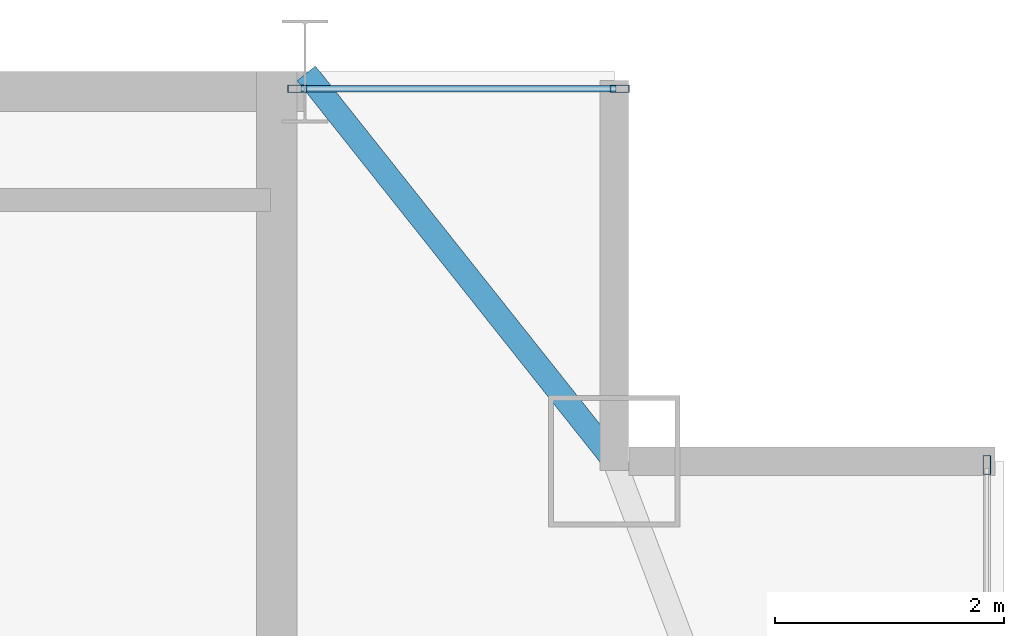
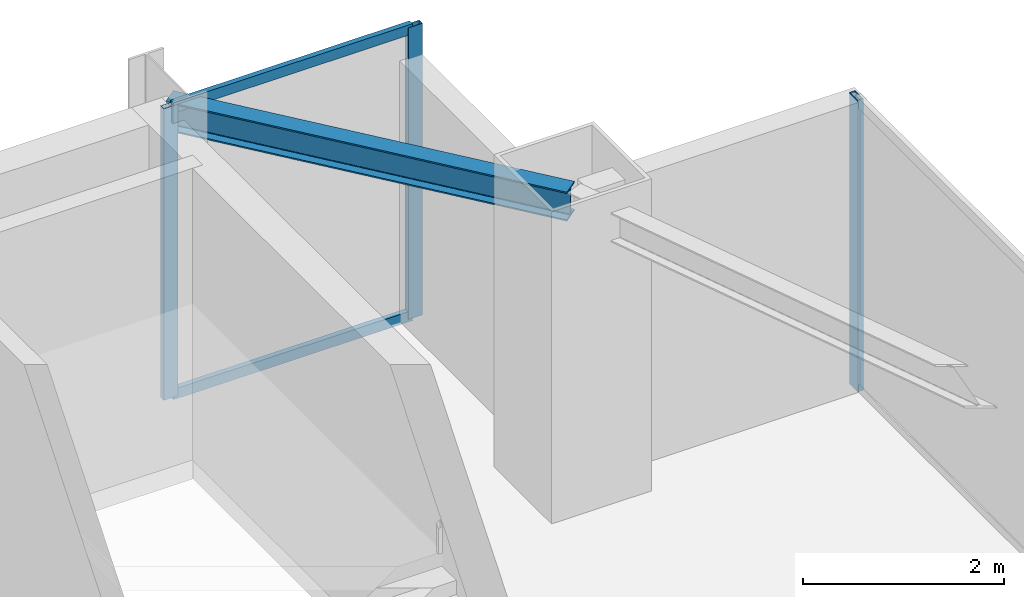
# One storey, part 22 of 30: 5 members, 1 beam, 2 elements without a shape of their own.
"""IFC4 building model written with IfcOpenShell, lengths in metres."""

import ifcopenshell
import ifcopenshell.guid

model = None  # the IFC model being written
_history = None  # IfcOwnerHistory: only IFC2X3 demands one
_inside = {}  # id of a spatial element -> (the spatial element, [elements in it])
_under = {}  # id of a project, library or spatial element -> (it, [spatial elements below it])
_declared = {}  # id of a project -> (the project, [libraries it declares])
_typed = {}  # id of a type object -> (the type object, [elements of that type])
_made_of = {}  # id of a material, layer set ... -> (it, [elements and type objects made of it])


def new_model(schema):
    """Start an empty IFC model of exactly this schema.

    Asked for "IFC4X3", IfcOpenShell would pick the latest addendum, in which some entities
    have other attributes; the version numbers below select the first issue.
    IFC2X3 requires an IfcOwnerHistory on every rooted entity: one is made here for all.
    """
    global model, _history
    if schema == "IFC4X3":
        model = ifcopenshell.file(schema_version=(4, 3, 0, 0))
    else:
        model = ifcopenshell.file(schema=schema)
    _inside.clear()
    _under.clear()
    _declared.clear()
    _typed.clear()
    _made_of.clear()
    _history = None
    if model.schema == "IFC2X3":
        org = make("IfcOrganization", Name="unknown")
        user = make(
            "IfcPersonAndOrganization",
            ThePerson=make("IfcPerson", FamilyName="unknown"),
            TheOrganization=org,
        )
        app = make(
            "IfcApplication",
            ApplicationDeveloper=org,
            Version="unknown",
            ApplicationFullName="unknown",
            ApplicationIdentifier="unknown",
        )
        _history = make(
            "IfcOwnerHistory",
            OwningUser=user,
            OwningApplication=app,
            ChangeAction="ADDED",
            CreationDate=0,
        )
    return model


def make(cls, **values):
    """One entity of the class cls with the attributes given. An attribute that is None is left unset."""
    return model.create_entity(
        cls, **{name: value for name, value in values.items() if value is not None}
    )


def rooted(cls, **values):
    """An entity with a GlobalId (a new one), such as an element, a storey or a relation."""
    return make(cls, GlobalId=ifcopenshell.guid.new(), OwnerHistory=_history, **values)


def si_unit(unit_type, name, prefix=None):
    """IfcSIUnit, for example si_unit("LENGTHUNIT", "METRE", prefix="MILLI")."""
    return make("IfcSIUnit", UnitType=unit_type, Prefix=prefix, Name=name)


def assignment(units):
    """IfcUnitAssignment: the units of a project."""
    return None if units is None else make("IfcUnitAssignment", Units=units)


def point(xyz):
    """IfcCartesianPoint."""
    return None if xyz is None else make("IfcCartesianPoint", Coordinates=xyz)


def direction(xyz):
    """IfcDirection."""
    return None if xyz is None else make("IfcDirection", DirectionRatios=xyz)


def frame(location, z_axis=None, x_axis=None):
    """IfcAxis2Placement3D, a coordinate frame: its origin and axes. An axis left out is left unset."""
    return make(
        "IfcAxis2Placement3D",
        Location=point(location),
        Axis=direction(z_axis),
        RefDirection=direction(x_axis),
    )


def frame_2d(location, x_axis=None):
    """IfcAxis2Placement2D, a coordinate frame in the plane: its origin and x axis."""
    return make(
        "IfcAxis2Placement2D", Location=point(location), RefDirection=direction(x_axis)
    )


def origin():
    """The frame at (0, 0, 0) with its axes left unset."""
    return frame((0.0, 0.0, 0.0))


def origin_2d():
    """The frame at (0, 0) in the plane with its x axis left unset."""
    return frame_2d((0.0, 0.0))


def place(relative_to, where):
    """IfcLocalPlacement: puts the frame where relative to a parent placement (None: the world)."""
    return make(
        "IfcLocalPlacement", PlacementRelTo=relative_to, RelativePlacement=where
    )


def context(
    kind, dimensions, precision=None, world=None, true_north=None, identifier=None
):
    """IfcGeometricRepresentationContext, for example the 3D "Model" context."""
    return make(
        "IfcGeometricRepresentationContext",
        ContextIdentifier=identifier,
        ContextType=kind,
        CoordinateSpaceDimension=dimensions,
        Precision=precision,
        WorldCoordinateSystem=world,
        TrueNorth=true_north,
    )


def subcontext(parent, identifier, kind, view, scale=None):
    """IfcGeometricRepresentationSubContext, for example "Body" below "Model"."""
    return make(
        "IfcGeometricRepresentationSubContext",
        ContextIdentifier=identifier,
        ContextType=kind,
        ParentContext=parent,
        TargetScale=scale,
        TargetView=view,
    )


def project(units=None, contexts=None):
    """IfcProject with its units and contexts."""
    return rooted(
        "IfcProject",
        Name="project",
        RepresentationContexts=contexts,
        UnitsInContext=assignment(units),
    )


def spatial(cls, under=None, at=None, **own):
    """A site, building, storey or space (cls), placed at a placement, below another one or the project."""
    s = rooted(cls, ObjectPlacement=at, **own)
    if under is not None:
        _under.setdefault(under.id(), (under, []))[1].append(s)
    return s


def profile(cls, at=None, kind="AREA", **sizes):
    """A parametric profile (cls). Its sizes go by their IFC names, for example OverallWidth=200.0."""
    return make(cls, ProfileType=kind, Position=at, **sizes)


def hollow_rectangle(**sizes):
    """IfcRectangleHollowProfileDef."""
    return profile("IfcRectangleHollowProfileDef", **sizes)


def i_section(**sizes):
    """IfcIShapeProfileDef."""
    return profile("IfcIShapeProfileDef", **sizes)


def extrude(swept, where, along, depth):
    """IfcExtrudedAreaSolid: the profile swept, set in the frame where, extruded along a direction by depth."""
    return make(
        "IfcExtrudedAreaSolid",
        SweptArea=swept,
        Position=where,
        ExtrudedDirection=direction(along),
        Depth=depth,
    )


def shape(context_of_items, identifier, shape_type, items):
    """IfcShapeRepresentation: the items that make up one representation, for example the "Body"."""
    return make(
        "IfcShapeRepresentation",
        ContextOfItems=context_of_items,
        RepresentationIdentifier=identifier,
        RepresentationType=shape_type,
        Items=items,
    )


def source(mapping_origin, context_of_items, identifier, shape_type, items):
    """IfcRepresentationMap: a shape defined once, which mapped items show again and again."""
    return make(
        "IfcRepresentationMap",
        MappingOrigin=mapping_origin,
        MappedRepresentation=shape(context_of_items, identifier, shape_type, items),
    )


def transform(
    local_origin,
    x_axis=None,
    y_axis=None,
    z_axis=None,
    scale=None,
    scale2=None,
    scale3=None,
    uniform=True,
):
    """IfcCartesianTransformationOperator3D, or its non-uniform kind. x_axis, y_axis, z_axis: its Axis1, 2, 3."""
    if uniform:
        return make(
            "IfcCartesianTransformationOperator3D",
            Axis1=direction(x_axis),
            Axis2=direction(y_axis),
            LocalOrigin=point(local_origin),
            Scale=scale,
            Axis3=direction(z_axis),
        )
    return make(
        "IfcCartesianTransformationOperator3DnonUniform",
        Axis1=direction(x_axis),
        Axis2=direction(y_axis),
        LocalOrigin=point(local_origin),
        Scale=scale,
        Axis3=direction(z_axis),
        Scale2=scale2,
        Scale3=scale3,
    )


def mapped(mapping_source, mapping_target):
    """IfcMappedItem: shows the shape of a source again, moved by a transform."""
    return make(
        "IfcMappedItem", MappingSource=mapping_source, MappingTarget=mapping_target
    )


def material(Name=None, Category=None):
    """IfcMaterial."""
    return make("IfcMaterial", Name=Name, Category=Category)


def layer(
    of_material, thickness, ventilated=None, Name=None, Category=None, Priority=None
):
    """IfcMaterialLayer: one layer of a wall or slab, of a material (None: an air gap)."""
    return make(
        "IfcMaterialLayer",
        Material=of_material,
        LayerThickness=thickness,
        IsVentilated=ventilated,
        Name=Name,
        Category=Category,
        Priority=Priority,
    )


def layer_set(layers, Name=None):
    """IfcMaterialLayerSet."""
    return make("IfcMaterialLayerSet", MaterialLayers=layers, LayerSetName=Name)


def material_profile(
    of_material, cross_section, Name=None, Category=None, Priority=None
):
    """IfcMaterialProfile: a cross section and its material."""
    return make(
        "IfcMaterialProfile",
        Name=Name,
        Material=of_material,
        Profile=cross_section,
        Priority=Priority,
        Category=Category,
    )


def profile_set(profiles, Name=None, composite=None):
    """IfcMaterialProfileSet."""
    return make(
        "IfcMaterialProfileSet",
        Name=Name,
        MaterialProfiles=profiles,
        CompositeProfile=composite,
    )


def made_of(thing, what):
    """Note that an element or type object is made of a material, layer set ...; save() writes the relation."""
    if what is not None:
        _made_of.setdefault(what.id(), (what, []))[1].append(thing)
    return thing


def type_object(cls, material=None, **own):
    """A type object (cls), such as IfcWallType, which elements share."""
    return made_of(rooted(cls, **own), material)


def type_shapes(of_type, sources):
    """Give a type object the sources (RepresentationMaps) that its elements show as mapped items."""
    of_type.RepresentationMaps = sources


def element(
    cls,
    number,
    at=None,
    inside=None,
    cuts=None,
    type_object=None,
    material=None,
    context=None,
    identifier="Body",
    shape_type=None,
    held_by="IfcProductDefinitionShape",
    body=None,
    shapes=None,
    **own,
):
    """One element of the class cls, such as IfcWall. Its Tag is "e" and its number.

    at: its placement. inside: the storey or other place that contains it. cuts: it is an
    opening in that element (IfcRelVoidsElement). A single representation is given by context,
    identifier, shape_type and body (its items); several are given by shapes. held_by: the class
    of the entity that holds the representations. save() writes the other relations.
    """
    e = rooted(cls, Tag="e%d" % number, ObjectPlacement=at, **own)
    if body is not None:
        shapes = [shape(context, identifier, shape_type, body)]
    if shapes is not None:
        e.Representation = make(held_by, Representations=shapes)
    if inside is not None:
        _inside.setdefault(inside.id(), (inside, []))[1].append(e)
    if cuts is not None:
        rooted(
            "IfcRelVoidsElement", RelatingBuildingElement=cuts, RelatedOpeningElement=e
        )
    if type_object is not None:
        _typed.setdefault(type_object.id(), (type_object, []))[1].append(e)
    return made_of(e, material)


def aggregate(whole, parts):
    """IfcRelAggregates: a whole, such as a stair, and the parts it consists of."""
    return rooted("IfcRelAggregates", RelatingObject=whole, RelatedObjects=parts)


def save(model, path):
    """Write the relations noted so far, then the file.

    IfcRelAggregates (storeys below a building ...), IfcRelContainedInSpatialStructure (elements
    in a storey), IfcRelDefinesByType, IfcRelAssociatesMaterial and IfcRelDeclares: one each for
    every whole, place, type object, material and project.
    """
    for whole, parts in _under.values():
        aggregate(whole, parts)
    for where, things in _inside.values():
        rooted(
            "IfcRelContainedInSpatialStructure",
            RelatedElements=things,
            RelatingStructure=where,
        )
    for kind, things in _typed.values():
        rooted("IfcRelDefinesByType", RelatedObjects=things, RelatingType=kind)
    for what, things in _made_of.values():
        rooted("IfcRelAssociatesMaterial", RelatedObjects=things, RelatingMaterial=what)
    for by, libraries in _declared.values():
        rooted("IfcRelDeclares", RelatingContext=by, RelatedDefinitions=libraries)
    model.write(path)


model = new_model("IFC4")

# Units and contexts
model_context = context("Model", 3, precision=1e-05, world=origin(), true_north=direction((0.0, 1.0)))
body_context = subcontext(model_context, "Body", "Model", "MODEL_VIEW")
ifc_project = project(units=[si_unit("LENGTHUNIT", "METRE"), si_unit("AREAUNIT", "SQUARE_METRE"), si_unit("VOLUMEUNIT", "CUBIC_METRE"), si_unit("PLANEANGLEUNIT", "RADIAN"), si_unit("MASSUNIT", "GRAM", prefix="KILO")], contexts=[model_context])

# Site, building, storey
site_placement = place(None, origin())
site = spatial("IfcSite", under=ifc_project, at=site_placement, CompositionType="ELEMENT")
building_placement = place(site_placement, origin())
building = spatial("IfcBuilding", under=site, at=building_placement, Name="Varnel Quay Broadcast Tower", CompositionType="ELEMENT")
storey_placement = place(building_placement, frame((0.0, 0.0, 207.39990234375)))
storey = spatial("IfcBuildingStorey", under=building, at=storey_placement, Name="L51", CompositionType="ELEMENT", Elevation=207.39990234375)

# Beam
ifc_material_1 = material(Name="Structural Steel CSA G40.21 350W", Category="steel")
ifc_material_profile_1 = material_profile(ifc_material_1, i_section(OverallWidth=0.205078125, OverallDepth=0.35400390625, WebThickness=0.009521484375, FlangeThickness=0.016845703125, FilletRadius=0.012939453125, at=origin_2d()), Name="W360X79")
ifc_profile_set_1 = profile_set([ifc_material_profile_1], Name="Structural Steel CSA G40.21 350W")
beam_type = type_object("IfcBeamType", Name="Beam_W360X79", PredefinedType="SPANDREL", material=ifc_profile_set_1)
shared_shape_1 = source(origin(), body_context, "Body", "SweptSolid", [
    extrude(i_section(OverallWidth=0.205078125, OverallDepth=0.35400390625, WebThickness=0.009521484375, FlangeThickness=0.016845703125, FilletRadius=0.012939453125, at=origin_2d()), origin(), (0.0, 0.0, 1.0), 4.301513671875),
])
type_shapes(beam_type, [shared_shape_1])
beam_placement = place(storey_placement, frame((52.412353515625, 46.7841796875, 3.373046875), z_axis=(0.621936399401, -0.783067758946, 0.0), x_axis=(0.783067758946, 0.621936399401, 0.0)))
element("IfcBeam", 1, at=beam_placement, inside=storey, type_object=beam_type, Name="L51 NE Tie Spandrel", PredefinedType="SPANDREL", context=body_context, shape_type="MappedRepresentation", body=[
    mapped(shared_shape_1, transform((0.0, 0.0, 0.0), x_axis=(1.0, 0.0, 0.0), y_axis=(0.0, 1.0, 0.0), z_axis=(0.0, 0.0, 1.0), scale=1.0)),
])

# Curtain wall, member
ifc_material_2 = material(Name="Anodised Bronze Aluminium 6063-T6", Category="aluminium")
ifc_layer = layer(ifc_material_2, 0.18994140625, Name="Anodised Bronze Aluminium 6063-T6")
ifc_layer_set = layer_set([ifc_layer], Name="Anodised Bronze Aluminium 6063-T6")
curtain_wall_type = type_object("IfcCurtainWallType", Name="CW_UpperTower", PredefinedType="NOTDEFINED", material=ifc_layer_set)
curtain_wall_1_placement = place(storey_placement, origin())
curtain_wall_1 = element("IfcCurtainWall", 2, at=curtain_wall_1_placement, inside=storey, type_object=curtain_wall_type, Name="L51 East Unitised Curtain Wall", PredefinedType="NOTDEFINED")
ifc_material_profile_2 = material_profile(ifc_material_2, hollow_rectangle(XDim=0.06494140625, YDim=0.1650390625, WallThickness=0.00341796875, at=origin_2d()), Name="ALU65X165X3.5")
ifc_profile_set_2 = profile_set([ifc_material_profile_2], Name="Anodised Bronze Aluminium 6063-T6")
member_type_1 = type_object("IfcMemberType", Name="Mull_CWS-03", PredefinedType="MULLION", material=ifc_profile_set_2)
shared_shape_2 = source(origin(), body_context, "Body", "SweptSolid", [
    extrude(hollow_rectangle(XDim=0.06494140625, YDim=0.1650390625, WallThickness=0.00341796875, at=origin_2d()), origin(), (0.0, 0.0, 1.0), 3.550048828125),
])
type_shapes(member_type_1, [shared_shape_2])
member_1_placement = place(storey_placement, frame((58.35009765625, 43.367431640625, 0.0), z_axis=(0.0, 0.0, 1.0), x_axis=(-1.0, 0.0, 0.0)))
member_1 = element("IfcMember", 3, at=member_1_placement, type_object=member_type_1, Name="CWS-03 mullion 3", PredefinedType="MULLION", context=body_context, shape_type="MappedRepresentation", body=[
    mapped(shared_shape_2, transform((0.0, 0.0, 0.0), x_axis=(1.0, 0.0, 0.0), y_axis=(0.0, 1.0, 0.0), z_axis=(0.0, 0.0, 1.0), scale=1.0)),
])
aggregate(curtain_wall_1, [member_1])

# Curtain wall, members
curtain_wall_2_placement = place(storey_placement, origin())
curtain_wall_2 = element("IfcCurtainWall", 4, at=curtain_wall_2_placement, inside=storey, type_object=curtain_wall_type, Name="L51 NE Wing Curtain Wall", PredefinedType="NOTDEFINED")
member_2_placement = place(storey_placement, frame((52.33251953125, 46.64990234375, 0.0), z_axis=(0.0, 0.0, 1.0), x_axis=(0.0, 1.0, 0.0)))
member_2 = element("IfcMember", 5, at=member_2_placement, type_object=member_type_1, Name="CWS-03 mullion 1", PredefinedType="MULLION", context=body_context, shape_type="MappedRepresentation", body=[
    mapped(shared_shape_2, transform((0.0, 0.0, 0.0), x_axis=(1.0, 0.0, 0.0), y_axis=(0.0, 1.0, 0.0), z_axis=(0.0, 0.0, 1.0), scale=1.0)),
])
member_3_placement = place(storey_placement, frame((55.1474609375, 46.64990234375, 0.0), z_axis=(0.0, 0.0, 1.0), x_axis=(0.0, 1.0, 0.0)))
member_3 = element("IfcMember", 6, at=member_3_placement, type_object=member_type_1, Name="CWS-03 mullion 2", PredefinedType="MULLION", context=body_context, shape_type="MappedRepresentation", body=[
    mapped(shared_shape_2, transform((0.0, 0.0, 0.0), x_axis=(1.0, 0.0, 0.0), y_axis=(0.0, 1.0, 0.0), z_axis=(0.0, 0.0, 1.0), scale=1.0)),
])
ifc_material_profile_3 = material_profile(ifc_material_2, hollow_rectangle(XDim=0.06005859375, YDim=0.125, WallThickness=0.0029296875, at=origin_2d()), Name="ALU60X125X3")
ifc_profile_set_3 = profile_set([ifc_material_profile_3], Name="Anodised Bronze Aluminium 6063-T6")
member_type_2 = type_object("IfcMemberType", Name="Tran_CWS-03", PredefinedType="USERDEFINED", material=ifc_profile_set_3)
shared_shape_3 = source(origin(), body_context, "Body", "SweptSolid", [
    extrude(hollow_rectangle(XDim=0.06005859375, YDim=0.125, WallThickness=0.0029296875, at=origin_2d()), origin(), (0.0, 0.0, 1.0), 2.75),
])
type_shapes(member_type_2, [shared_shape_3])
member_4_placement = place(storey_placement, frame((52.364990234375, 46.64990234375, 0.030029296875), z_axis=(1.0, 0.0, 0.0), x_axis=(0.0, 1.0, 0.0)))
member_4 = element("IfcMember", 7, at=member_4_placement, type_object=member_type_2, Name="CWS-03 transom 1.1", ObjectType="TRANSOM", PredefinedType="USERDEFINED", context=body_context, shape_type="MappedRepresentation", body=[
    mapped(shared_shape_3, transform((0.0, 0.0, 0.0), x_axis=(1.0, 0.0, 0.0), y_axis=(0.0, 1.0, 0.0), z_axis=(0.0, 0.0, 1.0), scale=1.0)),
])
member_5_placement = place(storey_placement, frame((52.364990234375, 46.64990234375, 3.52001953125), z_axis=(1.0, 0.0, 0.0), x_axis=(0.0, 1.0, 0.0)))
member_5 = element("IfcMember", 8, at=member_5_placement, type_object=member_type_2, Name="CWS-03 transom 1.2", ObjectType="TRANSOM", PredefinedType="USERDEFINED", context=body_context, shape_type="MappedRepresentation", body=[
    mapped(shared_shape_3, transform((0.0, 0.0, 0.0), x_axis=(1.0, 0.0, 0.0), y_axis=(0.0, 1.0, 0.0), z_axis=(0.0, 0.0, 1.0), scale=1.0)),
])
aggregate(curtain_wall_2, [member_2, member_3, member_4, member_5])

save(model, "model.ifc")
